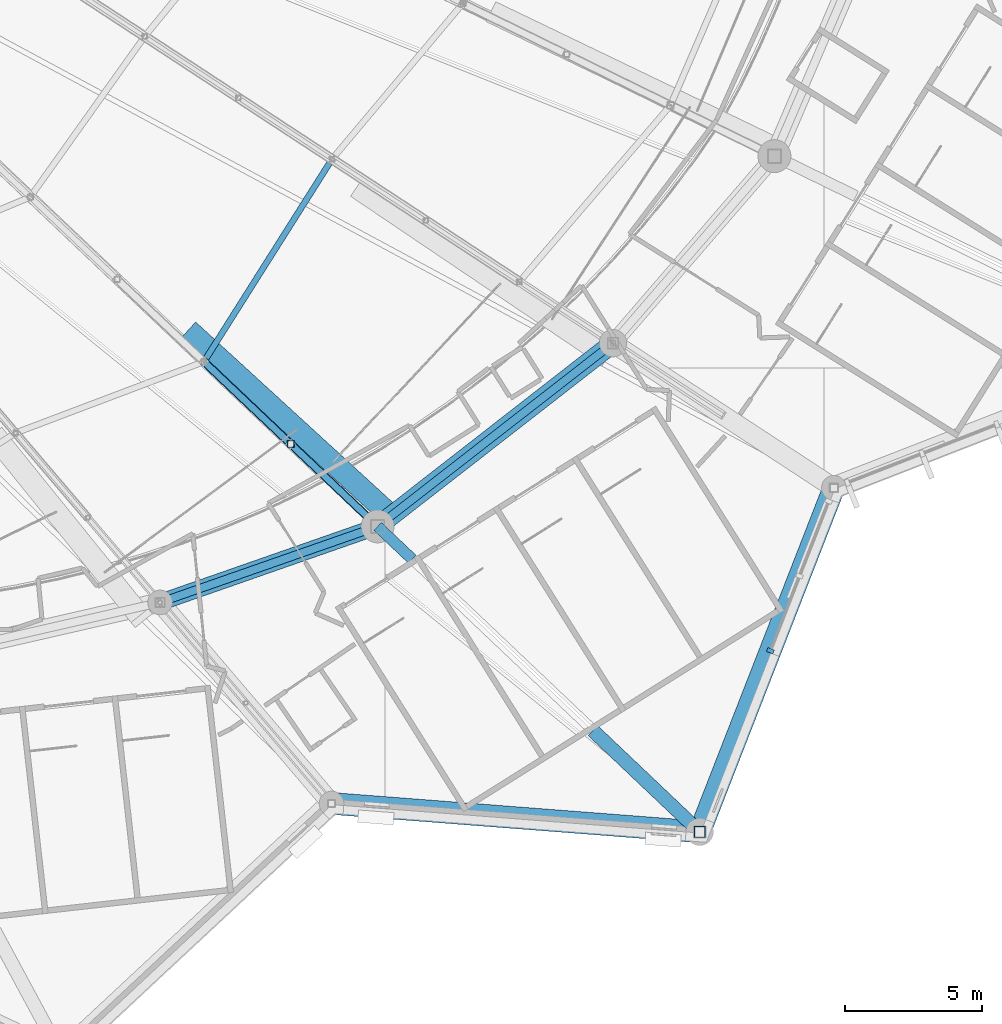
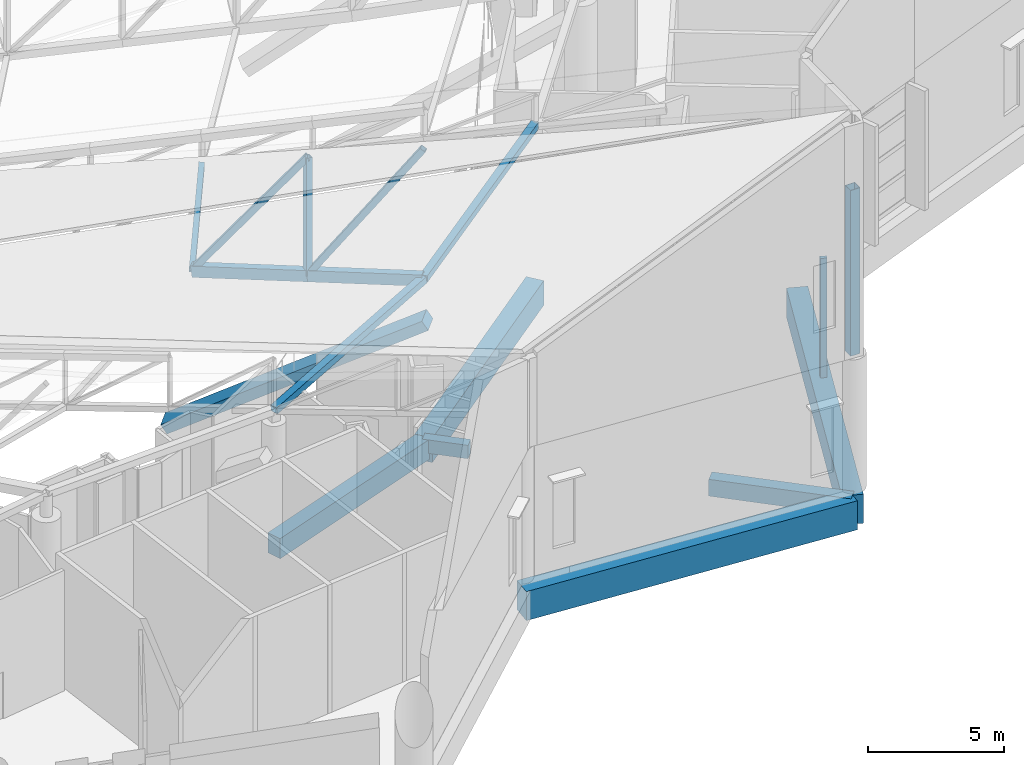
# One storey, part 79 of 344: 10 members, 7 beams, 1 element without a shape of its own.
"""IFC4 building model written with IfcOpenShell, lengths in metres."""

import ifcopenshell
import ifcopenshell.guid

model = None  # the IFC model being written
_history = None  # IfcOwnerHistory: only IFC2X3 demands one
_inside = {}  # id of a spatial element -> (the spatial element, [elements in it])
_under = {}  # id of a project, library or spatial element -> (it, [spatial elements below it])
_declared = {}  # id of a project -> (the project, [libraries it declares])
_typed = {}  # id of a type object -> (the type object, [elements of that type])
_made_of = {}  # id of a material, layer set ... -> (it, [elements and type objects made of it])


def new_model(schema):
    """Start an empty IFC model of exactly this schema.

    Asked for "IFC4X3", IfcOpenShell would pick the latest addendum, in which some entities
    have other attributes; the version numbers below select the first issue.
    IFC2X3 requires an IfcOwnerHistory on every rooted entity: one is made here for all.
    """
    global model, _history
    if schema == "IFC4X3":
        model = ifcopenshell.file(schema_version=(4, 3, 0, 0))
    else:
        model = ifcopenshell.file(schema=schema)
    _inside.clear()
    _under.clear()
    _declared.clear()
    _typed.clear()
    _made_of.clear()
    _history = None
    if model.schema == "IFC2X3":
        org = make("IfcOrganization", Name="unknown")
        user = make(
            "IfcPersonAndOrganization",
            ThePerson=make("IfcPerson", FamilyName="unknown"),
            TheOrganization=org,
        )
        app = make(
            "IfcApplication",
            ApplicationDeveloper=org,
            Version="unknown",
            ApplicationFullName="unknown",
            ApplicationIdentifier="unknown",
        )
        _history = make(
            "IfcOwnerHistory",
            OwningUser=user,
            OwningApplication=app,
            ChangeAction="ADDED",
            CreationDate=0,
        )
    return model


def make(cls, **values):
    """One entity of the class cls with the attributes given. An attribute that is None is left unset."""
    return model.create_entity(
        cls, **{name: value for name, value in values.items() if value is not None}
    )


def rooted(cls, **values):
    """An entity with a GlobalId (a new one), such as an element, a storey or a relation."""
    return make(cls, GlobalId=ifcopenshell.guid.new(), OwnerHistory=_history, **values)


def si_unit(unit_type, name, prefix=None):
    """IfcSIUnit, for example si_unit("LENGTHUNIT", "METRE", prefix="MILLI")."""
    return make("IfcSIUnit", UnitType=unit_type, Prefix=prefix, Name=name)


def assignment(units):
    """IfcUnitAssignment: the units of a project."""
    return None if units is None else make("IfcUnitAssignment", Units=units)


def point(xyz):
    """IfcCartesianPoint."""
    return None if xyz is None else make("IfcCartesianPoint", Coordinates=xyz)


def direction(xyz):
    """IfcDirection."""
    return None if xyz is None else make("IfcDirection", DirectionRatios=xyz)


def frame(location, z_axis=None, x_axis=None):
    """IfcAxis2Placement3D, a coordinate frame: its origin and axes. An axis left out is left unset."""
    return make(
        "IfcAxis2Placement3D",
        Location=point(location),
        Axis=direction(z_axis),
        RefDirection=direction(x_axis),
    )


def frame_2d(location, x_axis=None):
    """IfcAxis2Placement2D, a coordinate frame in the plane: its origin and x axis."""
    return make(
        "IfcAxis2Placement2D", Location=point(location), RefDirection=direction(x_axis)
    )


def origin():
    """The frame at (0, 0, 0) with its axes left unset."""
    return frame((0.0, 0.0, 0.0))


def origin_2d():
    """The frame at (0, 0) in the plane with its x axis left unset."""
    return frame_2d((0.0, 0.0))


def place(relative_to, where):
    """IfcLocalPlacement: puts the frame where relative to a parent placement (None: the world)."""
    return make(
        "IfcLocalPlacement", PlacementRelTo=relative_to, RelativePlacement=where
    )


def context(
    kind, dimensions, precision=None, world=None, true_north=None, identifier=None
):
    """IfcGeometricRepresentationContext, for example the 3D "Model" context."""
    return make(
        "IfcGeometricRepresentationContext",
        ContextIdentifier=identifier,
        ContextType=kind,
        CoordinateSpaceDimension=dimensions,
        Precision=precision,
        WorldCoordinateSystem=world,
        TrueNorth=true_north,
    )


def subcontext(parent, identifier, kind, view, scale=None):
    """IfcGeometricRepresentationSubContext, for example "Body" below "Model"."""
    return make(
        "IfcGeometricRepresentationSubContext",
        ContextIdentifier=identifier,
        ContextType=kind,
        ParentContext=parent,
        TargetScale=scale,
        TargetView=view,
    )


def project(units=None, contexts=None):
    """IfcProject with its units and contexts."""
    return rooted(
        "IfcProject",
        Name="project",
        RepresentationContexts=contexts,
        UnitsInContext=assignment(units),
    )


def spatial(cls, under=None, at=None, **own):
    """A site, building, storey or space (cls), placed at a placement, below another one or the project."""
    s = rooted(cls, ObjectPlacement=at, **own)
    if under is not None:
        _under.setdefault(under.id(), (under, []))[1].append(s)
    return s


def profile(cls, at=None, kind="AREA", **sizes):
    """A parametric profile (cls). Its sizes go by their IFC names, for example OverallWidth=200.0."""
    return make(cls, ProfileType=kind, Position=at, **sizes)


def rectangle(**sizes):
    """IfcRectangleProfileDef."""
    return profile("IfcRectangleProfileDef", **sizes)


def hollow_rectangle(**sizes):
    """IfcRectangleHollowProfileDef."""
    return profile("IfcRectangleHollowProfileDef", **sizes)


def extrude(swept, where, along, depth):
    """IfcExtrudedAreaSolid: the profile swept, set in the frame where, extruded along a direction by depth."""
    return make(
        "IfcExtrudedAreaSolid",
        SweptArea=swept,
        Position=where,
        ExtrudedDirection=direction(along),
        Depth=depth,
    )


def shape(context_of_items, identifier, shape_type, items):
    """IfcShapeRepresentation: the items that make up one representation, for example the "Body"."""
    return make(
        "IfcShapeRepresentation",
        ContextOfItems=context_of_items,
        RepresentationIdentifier=identifier,
        RepresentationType=shape_type,
        Items=items,
    )


def material(Name=None, Category=None):
    """IfcMaterial."""
    return make("IfcMaterial", Name=Name, Category=Category)


def layer(
    of_material, thickness, ventilated=None, Name=None, Category=None, Priority=None
):
    """IfcMaterialLayer: one layer of a wall or slab, of a material (None: an air gap)."""
    return make(
        "IfcMaterialLayer",
        Material=of_material,
        LayerThickness=thickness,
        IsVentilated=ventilated,
        Name=Name,
        Category=Category,
        Priority=Priority,
    )


def layer_set(layers, Name=None):
    """IfcMaterialLayerSet."""
    return make("IfcMaterialLayerSet", MaterialLayers=layers, LayerSetName=Name)


def material_profile(
    of_material, cross_section, Name=None, Category=None, Priority=None
):
    """IfcMaterialProfile: a cross section and its material."""
    return make(
        "IfcMaterialProfile",
        Name=Name,
        Material=of_material,
        Profile=cross_section,
        Priority=Priority,
        Category=Category,
    )


def profile_set(profiles, Name=None, composite=None):
    """IfcMaterialProfileSet."""
    return make(
        "IfcMaterialProfileSet",
        Name=Name,
        MaterialProfiles=profiles,
        CompositeProfile=composite,
    )


def made_of(thing, what):
    """Note that an element or type object is made of a material, layer set ...; save() writes the relation."""
    if what is not None:
        _made_of.setdefault(what.id(), (what, []))[1].append(thing)
    return thing


def type_object(cls, material=None, **own):
    """A type object (cls), such as IfcWallType, which elements share."""
    return made_of(rooted(cls, **own), material)


def element(
    cls,
    number,
    at=None,
    inside=None,
    cuts=None,
    type_object=None,
    material=None,
    context=None,
    identifier="Body",
    shape_type=None,
    held_by="IfcProductDefinitionShape",
    body=None,
    shapes=None,
    **own,
):
    """One element of the class cls, such as IfcWall. Its Tag is "e" and its number.

    at: its placement. inside: the storey or other place that contains it. cuts: it is an
    opening in that element (IfcRelVoidsElement). A single representation is given by context,
    identifier, shape_type and body (its items); several are given by shapes. held_by: the class
    of the entity that holds the representations. save() writes the other relations.
    """
    e = rooted(cls, Tag="e%d" % number, ObjectPlacement=at, **own)
    if body is not None:
        shapes = [shape(context, identifier, shape_type, body)]
    if shapes is not None:
        e.Representation = make(held_by, Representations=shapes)
    if inside is not None:
        _inside.setdefault(inside.id(), (inside, []))[1].append(e)
    if cuts is not None:
        rooted(
            "IfcRelVoidsElement", RelatingBuildingElement=cuts, RelatedOpeningElement=e
        )
    if type_object is not None:
        _typed.setdefault(type_object.id(), (type_object, []))[1].append(e)
    return made_of(e, material)


def aggregate(whole, parts):
    """IfcRelAggregates: a whole, such as a stair, and the parts it consists of."""
    return rooted("IfcRelAggregates", RelatingObject=whole, RelatedObjects=parts)


def save(model, path):
    """Write the relations noted so far, then the file.

    IfcRelAggregates (storeys below a building ...), IfcRelContainedInSpatialStructure (elements
    in a storey), IfcRelDefinesByType, IfcRelAssociatesMaterial and IfcRelDeclares: one each for
    every whole, place, type object, material and project.
    """
    for whole, parts in _under.values():
        aggregate(whole, parts)
    for where, things in _inside.values():
        rooted(
            "IfcRelContainedInSpatialStructure",
            RelatedElements=things,
            RelatingStructure=where,
        )
    for kind, things in _typed.values():
        rooted("IfcRelDefinesByType", RelatedObjects=things, RelatingType=kind)
    for what, things in _made_of.values():
        rooted("IfcRelAssociatesMaterial", RelatedObjects=things, RelatingMaterial=what)
    for by, libraries in _declared.values():
        rooted("IfcRelDeclares", RelatingContext=by, RelatedDefinitions=libraries)
    model.write(path)


model = new_model("IFC4")

# Units and contexts
model_context = context("Model", 3, precision=1e-05, world=origin(), true_north=direction((0.0, 1.0)))
body_context = subcontext(model_context, "Body", "Model", "MODEL_VIEW")
ifc_project = project(units=[si_unit("LENGTHUNIT", "METRE"), si_unit("AREAUNIT", "SQUARE_METRE"), si_unit("VOLUMEUNIT", "CUBIC_METRE"), si_unit("PLANEANGLEUNIT", "RADIAN"), si_unit("MASSUNIT", "GRAM", prefix="KILO")], contexts=[model_context])

# Site, building, storey
site_placement = place(None, origin())
site = spatial("IfcSite", under=ifc_project, at=site_placement, CompositionType="ELEMENT")
building_placement = place(site_placement, origin())
building = spatial("IfcBuilding", under=site, at=building_placement, Name="Meseta Stadium", CompositionType="ELEMENT")
storey_placement = place(building_placement, frame((0.0, 0.0, 24.0)))
storey = spatial("IfcBuildingStorey", under=building, at=storey_placement, Name="L04", CompositionType="ELEMENT", Elevation=24.0)

# Curtain wall, member
ifc_material_1 = material(Name="Steel S355", Category="steel")
ifc_layer = layer(ifc_material_1, 0.300048828125)
ifc_layer_set = layer_set([ifc_layer], Name="Valley atrium curtain wall")
curtain_wall_type = type_object("IfcCurtainWallType", Name="Valley atrium curtain wall", PredefinedType="NOTDEFINED", material=ifc_layer_set)
curtain_wall_placement = place(storey_placement, origin())
curtain_wall = element("IfcCurtainWall", 1, at=curtain_wall_placement, inside=storey, type_object=curtain_wall_type, Name="Valley atrium glazing F52", PredefinedType="NOTDEFINED")
ifc_material_2 = material(Name="Steel S355", Category="steel")
ifc_material_profile_1 = material_profile(ifc_material_2, rectangle(XDim=0.25, YDim=0.14990234375, at=origin_2d()), Name="CW 250x150")
ifc_profile_set_1 = profile_set([ifc_material_profile_1], Name="Steel S355")
member_type_1 = type_object("IfcMemberType", Name="CW mullion bar 250x150", PredefinedType="MULLION", material=ifc_profile_set_1)
member_1_placement = place(storey_placement, frame((78.049560546875, -90.304443359375, 0.0), z_axis=(0.0, 0.0, 1.0), x_axis=(-0.931679912901, 0.363280249803, 0.0)))
member_1 = element("IfcMember", 2, at=member_1_placement, type_object=member_type_1, Name="CWA mullion 1", PredefinedType="MULLION", context=body_context, shape_type="SweptSolid", body=[
    extrude(rectangle(XDim=0.25, YDim=0.14990234375, at=origin_2d()), origin(), (0.0, 0.0, 1.0), 5.35009765625),
])
aggregate(curtain_wall, [member_1])

# Beams
ifc_material_3 = material(Name="Concrete C40/50", Category="concrete")
ifc_material_profile_2 = material_profile(ifc_material_3, rectangle(XDim=0.39990234375, YDim=0.60009765625, at=origin_2d()), Name="RC 400x600")
ifc_profile_set_2 = profile_set([ifc_material_profile_2], Name="Concrete C40/50")
beam_type_1 = type_object("IfcBeamType", Name="RC beam 400x600", PredefinedType="BEAM", material=ifc_profile_set_2)
beam_1_placement = place(storey_placement, frame((63.731201171875, -85.77099609375, -0.699951171875), z_axis=(0.725600801439, -0.688115889187, 0.0), x_axis=(0.688115889187, 0.725600801439, 0.0)))
element("IfcBeam", 3, at=beam_1_placement, inside=storey, type_object=beam_type_1, Name="L04 radial beam frame 52 line P to R", PredefinedType="BEAM", context=body_context, shape_type="SweptSolid", body=[
    extrude(rectangle(XDim=0.39990234375, YDim=0.60009765625, at=origin_2d()), origin(), (0.0, 0.0, 1.0), 1.732421875),
])
ifc_material_4 = material(Name="Concrete C40/50", Category="concrete")
ifc_material_profile_3 = material_profile(ifc_material_4, rectangle(XDim=0.5, YDim=0.75, at=origin_2d()), Name="RC 500x750")
ifc_profile_set_3 = profile_set([ifc_material_profile_3], Name="Concrete C40/50")
beam_type_2 = type_object("IfcBeamType", Name="RC beam 500x750", PredefinedType="BEAM", material=ifc_profile_set_3)
beam_2_placement = place(storey_placement, frame((71.57958984375, -93.214599609375, -0.77490234375), z_axis=(0.725596444109, -0.688120483852, 0.0), x_axis=(0.688120483852, 0.725596444109, 0.0)))
element("IfcBeam", 4, at=beam_2_placement, inside=storey, type_object=beam_type_2, Name="L04 radial beam frame 52 line P to R", PredefinedType="BEAM", context=body_context, shape_type="SweptSolid", body=[
    extrude(rectangle(XDim=0.5, YDim=0.75, at=origin_2d()), origin(), (0.0, 0.0, 1.0), 5.367919921875),
])
ifc_material_5 = material(Name="Concrete C40/50", Category="concrete")
ifc_material_profile_4 = material_profile(ifc_material_5, rectangle(XDim=0.60009765625, YDim=0.89990234375, at=origin_2d()), Name="RC 600x900")
ifc_profile_set_4 = profile_set([ifc_material_profile_4], Name="Concrete C40/50")
beam_type_3 = type_object("IfcBeamType", Name="RC beam 600x900", PredefinedType="BEAM", material=ifc_profile_set_4)
beam_3_placement = place(storey_placement, frame((55.799560546875, -88.541748046875, -0.85009765625), z_axis=(0.944055708451, 0.329786020537, 0.0), x_axis=(-0.329786020537, 0.944055708451, 0.0)))
element("IfcBeam", 5, at=beam_3_placement, inside=storey, type_object=beam_type_3, Name="L04 ring beam frame 51 line P", PredefinedType="BEAM", context=body_context, shape_type="SweptSolid", body=[
    extrude(rectangle(XDim=0.60009765625, YDim=0.89990234375, at=origin_2d()), origin(), (0.0, 0.0, 1.0), 8.401611328125),
])
ifc_material_6 = material(Name="Concrete C40/50", Category="concrete")
ifc_material_profile_5 = material_profile(ifc_material_6, rectangle(XDim=0.699951171875, YDim=1.10009765625, at=origin_2d()), Name="RC 700x1100")
ifc_profile_set_5 = profile_set([ifc_material_profile_5], Name="Concrete C40/50")
beam_type_4 = type_object("IfcBeamType", Name="RC beam 700x1100", PredefinedType="BEAM", material=ifc_profile_set_5)
beam_4_placement = place(storey_placement, frame((63.731201171875, -85.77099609375, -0.949951171875), z_axis=(0.789086185012, 0.614282502293, 0.0), x_axis=(-0.614282502293, 0.789086185012, 0.0)))
element("IfcBeam", 6, at=beam_4_placement, inside=storey, type_object=beam_type_4, Name="L04 ring beam frame 52 line P", PredefinedType="BEAM", context=body_context, shape_type="SweptSolid", body=[
    extrude(rectangle(XDim=0.699951171875, YDim=1.10009765625, at=origin_2d()), origin(), (0.0, 0.0, 1.0), 10.874267578125),
])
ifc_material_7 = material(Name="Concrete C40/50", Category="concrete")
ifc_material_profile_6 = material_profile(ifc_material_7, rectangle(XDim=0.800048828125, YDim=1.300048828125, at=origin_2d()), Name="RC 800x1300")
ifc_profile_set_6 = profile_set([ifc_material_profile_6], Name="Concrete C40/50")
beam_type_5 = type_object("IfcBeamType", Name="RC beam 800x1300", PredefinedType="BEAM", material=ifc_profile_set_6)
for number, where, z_axis, x_axis, name in (
    (7, (62.051513671875, -95.872802734375, -1.050048828125), (0.997036858399, -0.076925307894, 0.0), (0.076925307894, 0.997036858399, 0.0), "L04 ring beam frame 51 line R"),
    (8, (75.474609375, -96.908447265625, -1.050048828125), (0.363287980868, 0.93167689837, 0.0), (-0.93167689837, 0.363287980868, 0.0), "L04 ring beam frame 52 line R"),
):
    element("IfcBeam", number, at=place(storey_placement, frame(where, z_axis=z_axis, x_axis=x_axis)), inside=storey, type_object=beam_type_5, Name=name, PredefinedType="BEAM", context=body_context, shape_type="SweptSolid", body=[
        extrude(rectangle(XDim=0.800048828125, YDim=1.300048828125, at=origin_2d()), origin(), (0.0, 0.0, 1.0), 13.462890625),
    ])
ifc_material_8 = material(Name="Concrete C40/50", Category="concrete")
ifc_material_profile_7 = material_profile(ifc_material_8, rectangle(XDim=0.800048828125, YDim=0.449951171875, at=origin_2d()), Name="RC 800x450")
ifc_profile_set_7 = profile_set([ifc_material_profile_7], Name="Concrete C40/50")
beam_type_6 = type_object("IfcBeamType", Name="RC raker upper rear 800x450", PredefinedType="USERDEFINED", material=ifc_profile_set_7)
beam_5_placement = place(storey_placement, frame((56.9150390625, -78.69580078125, -1.73486328125), z_axis=(0.62597534425, -0.573017454419, 0.528966790378), x_axis=(0.675216522578, 0.737619581924, 0.0)))
element("IfcBeam", 9, at=beam_5_placement, inside=storey, type_object=beam_type_6, Name="Raker upper rear frame 52 upper tier", ObjectType="RAKER", PredefinedType="USERDEFINED", context=body_context, shape_type="SweptSolid", body=[
    extrude(rectangle(XDim=0.800048828125, YDim=0.449951171875, at=origin_2d()), origin(), (0.0, 0.0, 1.0), 11.566650390625),
])

# Members
ifc_material_9 = material(Name="Steel S355", Category="steel")
ifc_material_profile_8 = material_profile(ifc_material_9, hollow_rectangle(XDim=0.300048828125, YDim=0.5, WallThickness=0.01611328125, at=origin_2d()), Name="RHS 500x300x16")
ifc_profile_set_8 = profile_set([ifc_material_profile_8], Name="Steel S355")
member_type_2 = type_object("IfcMemberType", Name="RHS 500x300x16 bottom chord", PredefinedType="CHORD", material=ifc_profile_set_8)
for number, where, z_axis, x_axis, name in (
    (10, (57.39990234375, -79.766357421875, 5.632568359375), (0.720650173055, -0.683414450379, 0.116653405818), (0.688112410324, 0.725604100566, 0.0), "ROOF TRUSS RT-52 bottom chord"),
    (11, (60.565673828125, -82.7685546875, 6.14501953125), (0.720596086328, -0.683471438352, 0.116653646861), (0.688169809663, 0.725549662717, 0.0), "ROOF TRUSS RT-52 bottom chord"),
):
    element("IfcMember", number, at=place(storey_placement, frame(where, z_axis=z_axis, x_axis=x_axis)), inside=storey, type_object=member_type_2, Name=name, PredefinedType="CHORD", context=body_context, shape_type="SweptSolid", body=[
        extrude(hollow_rectangle(XDim=0.300048828125, YDim=0.5, WallThickness=0.01611328125, at=origin_2d()), origin(), (0.0, 0.0, 1.0), 4.392822265625),
    ])
ifc_material_10 = material(Name="Steel S355", Category="steel")
ifc_material_profile_9 = material_profile(ifc_material_10, hollow_rectangle(XDim=0.219970703125, YDim=0.219970703125, WallThickness=0.008056640625, at=origin_2d()), Name="SHS 220x220x8")
ifc_profile_set_9 = profile_set([ifc_material_profile_9], Name="Steel S355")
member_type_3 = type_object("IfcMemberType", Name="SHS 220x220x8 strut", PredefinedType="STRUT", material=ifc_profile_set_9)
member_2_placement = place(storey_placement, frame((57.39990234375, -79.766357421875, 5.632568359375), z_axis=(0.527509026321, 0.834496104557, -0.159218336344), x_axis=(-0.845278994635, 0.534325201753, 0.0)))
element("IfcMember", 12, at=member_2_placement, inside=storey, type_object=member_type_3, Name="ROOF TRUSS STRUT RT-52/53", PredefinedType="STRUT", context=body_context, shape_type="SweptSolid", body=[
    extrude(hollow_rectangle(XDim=0.219970703125, YDim=0.219970703125, WallThickness=0.008056640625, at=origin_2d()), origin(), (0.0, 0.0, 1.0), 8.84912109375),
])
ifc_material_11 = material(Name="Steel S355", Category="steel")
ifc_material_profile_10 = material_profile(ifc_material_11, hollow_rectangle(XDim=0.25, YDim=0.25, WallThickness=0.010009765625, at=origin_2d()), Name="SHS 250x250x10")
ifc_profile_set_10 = profile_set([ifc_material_profile_10], Name="Steel S355")
member_type_4 = type_object("IfcMemberType", Name="SHS 250x250x10 diagonal", PredefinedType="BRACE", material=ifc_profile_set_10)
member_3_placement = place(storey_placement, frame((57.39990234375, -79.766357421875, 5.632568359375), z_axis=(0.437268681933, -0.414675174037, 0.7980229319), x_axis=(0.688112410324, 0.725604100566, 0.0)))
element("IfcMember", 13, at=member_3_placement, inside=storey, type_object=member_type_4, Name="ROOF TRUSS RT-52 diagonal", PredefinedType="BRACE", context=body_context, shape_type="SweptSolid", body=[
    extrude(hollow_rectangle(XDim=0.25, YDim=0.25, WallThickness=0.010009765625, at=origin_2d()), origin(), (0.0, 0.0, 1.0), 7.239990234375),
])
member_4_placement = place(storey_placement, frame((60.565673828125, -82.7685546875, 6.14501953125), z_axis=(0.411771493331, -0.39055729022, 0.823352439928), x_axis=(0.688169809663, 0.725549662717, 0.0)))
element("IfcMember", 14, at=member_4_placement, inside=storey, type_object=member_type_4, Name="ROOF TRUSS RT-52 diagonal", PredefinedType="BRACE", context=body_context, shape_type="SweptSolid", body=[
    extrude(hollow_rectangle(XDim=0.25, YDim=0.25, WallThickness=0.010009765625, at=origin_2d()), origin(), (0.0, 0.0, 1.0), 7.6875),
])
ifc_material_12 = material(Name="Steel S355", Category="steel")
ifc_material_profile_11 = material_profile(ifc_material_12, hollow_rectangle(XDim=0.25, YDim=0.25, WallThickness=0.010009765625, at=origin_2d()), Name="SHS 250x250x10")
ifc_profile_set_11 = profile_set([ifc_material_profile_11], Name="Steel S355")
member_type_5 = type_object("IfcMemberType", Name="SHS 250x250x10 post", PredefinedType="POST", material=ifc_profile_set_11)
member_5_placement = place(storey_placement, frame((60.565673828125, -82.7685546875, 6.14501953125), z_axis=(0.0, 0.0, 1.0), x_axis=(1.0, 0.0, 0.0)))
element("IfcMember", 15, at=member_5_placement, inside=storey, type_object=member_type_5, Name="ROOF TRUSS RT-52 post", PredefinedType="POST", context=body_context, shape_type="SweptSolid", body=[
    extrude(hollow_rectangle(XDim=0.25, YDim=0.25, WallThickness=0.010009765625, at=origin_2d()), origin(), (0.0, 0.0, 1.0), 5.26513671875),
])
ifc_material_13 = material(Name="Steel S355", Category="steel")
ifc_material_profile_12 = material_profile(ifc_material_13, hollow_rectangle(XDim=0.300048828125, YDim=0.300048828125, WallThickness=0.010009765625, at=origin_2d()), Name="SHS 300x300x10")
ifc_profile_set_12 = profile_set([ifc_material_profile_12], Name="Steel S355")
member_type_6 = type_object("IfcMemberType", Name="SHS 300x300x10 pivot strut", PredefinedType="STRUT", material=ifc_profile_set_12)
member_6_placement = place(storey_placement, frame((55.799560546875, -88.541748046875, 5.24560546875), z_axis=(0.931001753976, 0.325225895896, 0.165722209531), x_axis=(-0.329786020537, 0.944055708451, 0.0)))
element("IfcMember", 16, at=member_6_placement, inside=storey, type_object=member_type_6, Name="ROOF PIVOT STRUT RT-51/52", PredefinedType="STRUT", context=body_context, shape_type="SweptSolid", body=[
    extrude(hollow_rectangle(XDim=0.300048828125, YDim=0.300048828125, WallThickness=0.010009765625, at=origin_2d()), origin(), (0.0, 0.0, 1.0), 8.51953125),
])
member_7_placement = place(storey_placement, frame((63.731201171875, -85.77099609375, 6.657470703125), z_axis=(0.789004740934, 0.614219100256, -0.014367173136), x_axis=(-0.614282502293, 0.789086185012, 0.0)))
element("IfcMember", 17, at=member_7_placement, inside=storey, type_object=member_type_6, Name="ROOF PIVOT STRUT RT-52/53", PredefinedType="STRUT", context=body_context, shape_type="SweptSolid", body=[
    extrude(hollow_rectangle(XDim=0.300048828125, YDim=0.300048828125, WallThickness=0.010009765625, at=origin_2d()), origin(), (0.0, 0.0, 1.0), 10.87548828125),
])
ifc_material_14 = material(Name="Steel S355", Category="steel")
ifc_material_profile_13 = material_profile(ifc_material_14, hollow_rectangle(XDim=0.39990234375, YDim=0.39990234375, WallThickness=0.01416015625, at=origin_2d()), Name="SHS 400x400x14.2")
ifc_profile_set_13 = profile_set([ifc_material_profile_13], Name="Steel S355")
member_type_7 = type_object("IfcMemberType", Name="SHS 400x400x14.2 rim post", PredefinedType="POST", material=ifc_profile_set_13)
member_8_placement = place(storey_placement, frame((75.474609375, -96.908447265625, 6.0), z_axis=(0.0, 0.0, 1.0), x_axis=(1.0, 0.0, 0.0)))
element("IfcMember", 18, at=member_8_placement, inside=storey, type_object=member_type_7, Name="ROOF RIM POST RT-52", PredefinedType="POST", context=body_context, shape_type="SweptSolid", body=[
    extrude(hollow_rectangle(XDim=0.39990234375, YDim=0.39990234375, WallThickness=0.01416015625, at=origin_2d()), origin(), (0.0, 0.0, 1.0), 7.423583984375),
])

save(model, "model.ifc")
